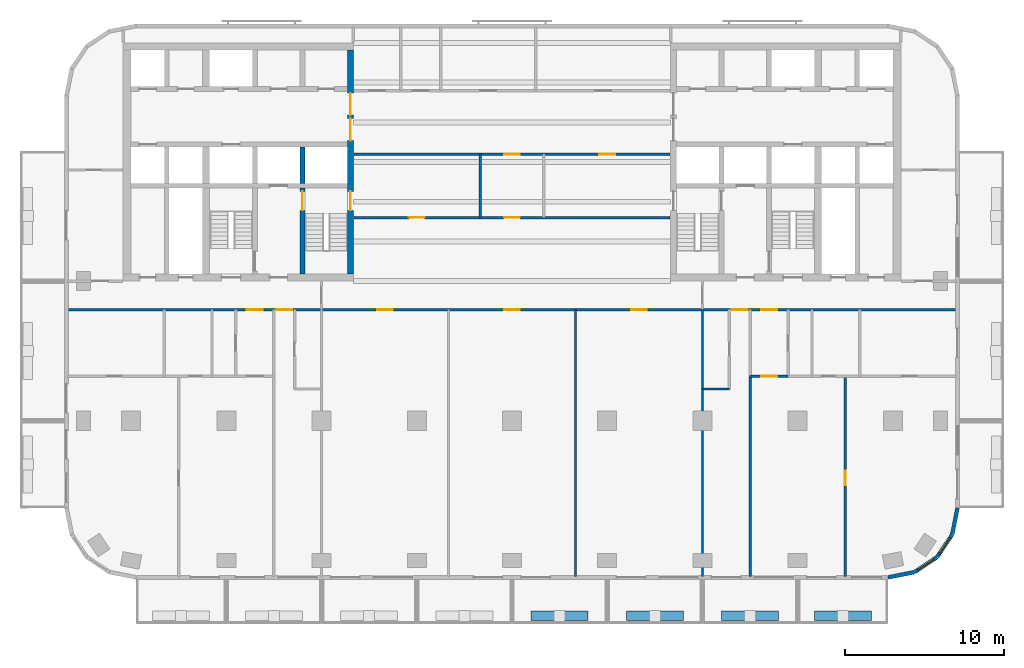
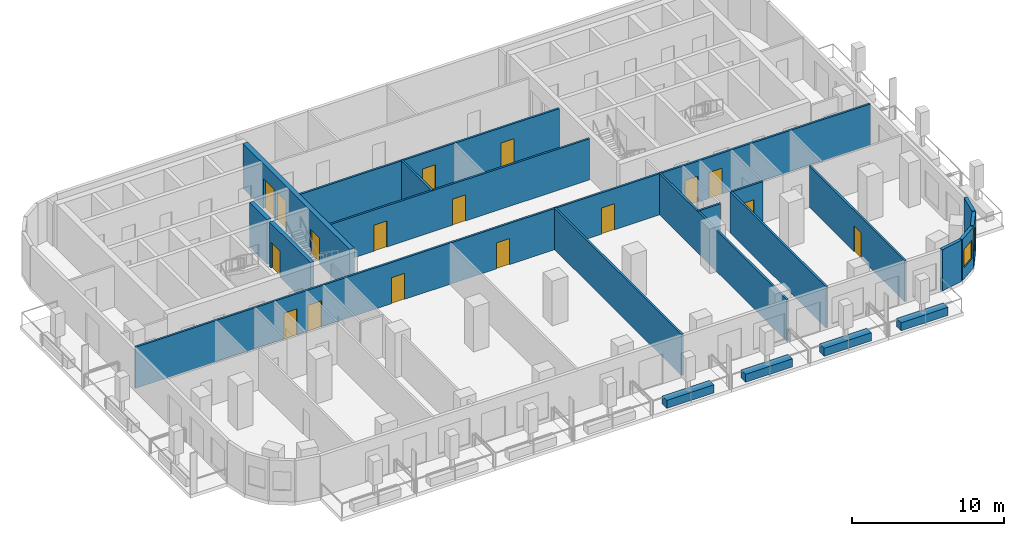
# One storey, part 4 of 11: 21 walls, 17 doors, 2 windows, 19 openings.
"""IFC4 building model written with IfcOpenShell, lengths in metres."""

import ifcopenshell
import ifcopenshell.guid

model = None  # the IFC model being written
_history = None  # IfcOwnerHistory: only IFC2X3 demands one
_inside = {}  # id of a spatial element -> (the spatial element, [elements in it])
_under = {}  # id of a project, library or spatial element -> (it, [spatial elements below it])
_declared = {}  # id of a project -> (the project, [libraries it declares])
_typed = {}  # id of a type object -> (the type object, [elements of that type])
_made_of = {}  # id of a material, layer set ... -> (it, [elements and type objects made of it])


def new_model(schema):
    """Start an empty IFC model of exactly this schema.

    Asked for "IFC4X3", IfcOpenShell would pick the latest addendum, in which some entities
    have other attributes; the version numbers below select the first issue.
    IFC2X3 requires an IfcOwnerHistory on every rooted entity: one is made here for all.
    """
    global model, _history
    if schema == "IFC4X3":
        model = ifcopenshell.file(schema_version=(4, 3, 0, 0))
    else:
        model = ifcopenshell.file(schema=schema)
    _inside.clear()
    _under.clear()
    _declared.clear()
    _typed.clear()
    _made_of.clear()
    _history = None
    if model.schema == "IFC2X3":
        org = make("IfcOrganization", Name="unknown")
        user = make(
            "IfcPersonAndOrganization",
            ThePerson=make("IfcPerson", FamilyName="unknown"),
            TheOrganization=org,
        )
        app = make(
            "IfcApplication",
            ApplicationDeveloper=org,
            Version="unknown",
            ApplicationFullName="unknown",
            ApplicationIdentifier="unknown",
        )
        _history = make(
            "IfcOwnerHistory",
            OwningUser=user,
            OwningApplication=app,
            ChangeAction="ADDED",
            CreationDate=0,
        )
    return model


def make(cls, **values):
    """One entity of the class cls with the attributes given. An attribute that is None is left unset."""
    return model.create_entity(
        cls, **{name: value for name, value in values.items() if value is not None}
    )


def rooted(cls, **values):
    """An entity with a GlobalId (a new one), such as an element, a storey or a relation."""
    return make(cls, GlobalId=ifcopenshell.guid.new(), OwnerHistory=_history, **values)


def si_unit(unit_type, name, prefix=None):
    """IfcSIUnit, for example si_unit("LENGTHUNIT", "METRE", prefix="MILLI")."""
    return make("IfcSIUnit", UnitType=unit_type, Prefix=prefix, Name=name)


def assignment(units):
    """IfcUnitAssignment: the units of a project."""
    return None if units is None else make("IfcUnitAssignment", Units=units)


def point(xyz):
    """IfcCartesianPoint."""
    return None if xyz is None else make("IfcCartesianPoint", Coordinates=xyz)


def direction(xyz):
    """IfcDirection."""
    return None if xyz is None else make("IfcDirection", DirectionRatios=xyz)


def frame(location, z_axis=None, x_axis=None):
    """IfcAxis2Placement3D, a coordinate frame: its origin and axes. An axis left out is left unset."""
    return make(
        "IfcAxis2Placement3D",
        Location=point(location),
        Axis=direction(z_axis),
        RefDirection=direction(x_axis),
    )


def frame_2d(location, x_axis=None):
    """IfcAxis2Placement2D, a coordinate frame in the plane: its origin and x axis."""
    return make(
        "IfcAxis2Placement2D", Location=point(location), RefDirection=direction(x_axis)
    )


def origin():
    """The frame at (0, 0, 0) with its axes left unset."""
    return frame((0.0, 0.0, 0.0))


def place(relative_to, where):
    """IfcLocalPlacement: puts the frame where relative to a parent placement (None: the world)."""
    return make(
        "IfcLocalPlacement", PlacementRelTo=relative_to, RelativePlacement=where
    )


def context(
    kind, dimensions, precision=None, world=None, true_north=None, identifier=None
):
    """IfcGeometricRepresentationContext, for example the 3D "Model" context."""
    return make(
        "IfcGeometricRepresentationContext",
        ContextIdentifier=identifier,
        ContextType=kind,
        CoordinateSpaceDimension=dimensions,
        Precision=precision,
        WorldCoordinateSystem=world,
        TrueNorth=true_north,
    )


def subcontext(parent, identifier, kind, view, scale=None):
    """IfcGeometricRepresentationSubContext, for example "Body" below "Model"."""
    return make(
        "IfcGeometricRepresentationSubContext",
        ContextIdentifier=identifier,
        ContextType=kind,
        ParentContext=parent,
        TargetScale=scale,
        TargetView=view,
    )


def project(units=None, contexts=None):
    """IfcProject with its units and contexts."""
    return rooted(
        "IfcProject",
        Name="project",
        RepresentationContexts=contexts,
        UnitsInContext=assignment(units),
    )


def spatial(cls, under=None, at=None, **own):
    """A site, building, storey or space (cls), placed at a placement, below another one or the project."""
    s = rooted(cls, ObjectPlacement=at, **own)
    if under is not None:
        _under.setdefault(under.id(), (under, []))[1].append(s)
    return s


def profile(cls, at=None, kind="AREA", **sizes):
    """A parametric profile (cls). Its sizes go by their IFC names, for example OverallWidth=200.0."""
    return make(cls, ProfileType=kind, Position=at, **sizes)


def rectangle(**sizes):
    """IfcRectangleProfileDef."""
    return profile("IfcRectangleProfileDef", **sizes)


def extrude(swept, where, along, depth):
    """IfcExtrudedAreaSolid: the profile swept, set in the frame where, extruded along a direction by depth."""
    return make(
        "IfcExtrudedAreaSolid",
        SweptArea=swept,
        Position=where,
        ExtrudedDirection=direction(along),
        Depth=depth,
    )


def shape(context_of_items, identifier, shape_type, items):
    """IfcShapeRepresentation: the items that make up one representation, for example the "Body"."""
    return make(
        "IfcShapeRepresentation",
        ContextOfItems=context_of_items,
        RepresentationIdentifier=identifier,
        RepresentationType=shape_type,
        Items=items,
    )


def material(Name=None, Category=None):
    """IfcMaterial."""
    return make("IfcMaterial", Name=Name, Category=Category)


def layer(
    of_material, thickness, ventilated=None, Name=None, Category=None, Priority=None
):
    """IfcMaterialLayer: one layer of a wall or slab, of a material (None: an air gap)."""
    return make(
        "IfcMaterialLayer",
        Material=of_material,
        LayerThickness=thickness,
        IsVentilated=ventilated,
        Name=Name,
        Category=Category,
        Priority=Priority,
    )


def layer_set(layers, Name=None):
    """IfcMaterialLayerSet."""
    return make("IfcMaterialLayerSet", MaterialLayers=layers, LayerSetName=Name)


def made_of(thing, what):
    """Note that an element or type object is made of a material, layer set ...; save() writes the relation."""
    if what is not None:
        _made_of.setdefault(what.id(), (what, []))[1].append(thing)
    return thing


def type_object(cls, material=None, **own):
    """A type object (cls), such as IfcWallType, which elements share."""
    return made_of(rooted(cls, **own), material)


def element(
    cls,
    number,
    at=None,
    inside=None,
    cuts=None,
    type_object=None,
    material=None,
    context=None,
    identifier="Body",
    shape_type=None,
    held_by="IfcProductDefinitionShape",
    body=None,
    shapes=None,
    **own,
):
    """One element of the class cls, such as IfcWall. Its Tag is "e" and its number.

    at: its placement. inside: the storey or other place that contains it. cuts: it is an
    opening in that element (IfcRelVoidsElement). A single representation is given by context,
    identifier, shape_type and body (its items); several are given by shapes. held_by: the class
    of the entity that holds the representations. save() writes the other relations.
    """
    e = rooted(cls, Tag="e%d" % number, ObjectPlacement=at, **own)
    if body is not None:
        shapes = [shape(context, identifier, shape_type, body)]
    if shapes is not None:
        e.Representation = make(held_by, Representations=shapes)
    if inside is not None:
        _inside.setdefault(inside.id(), (inside, []))[1].append(e)
    if cuts is not None:
        rooted(
            "IfcRelVoidsElement", RelatingBuildingElement=cuts, RelatedOpeningElement=e
        )
    if type_object is not None:
        _typed.setdefault(type_object.id(), (type_object, []))[1].append(e)
    return made_of(e, material)


def fill(opening, filler):
    """IfcRelFillsElement: the door or window that sits in an opening."""
    return rooted(
        "IfcRelFillsElement",
        RelatingOpeningElement=opening,
        RelatedBuildingElement=filler,
    )


def aggregate(whole, parts):
    """IfcRelAggregates: a whole, such as a stair, and the parts it consists of."""
    return rooted("IfcRelAggregates", RelatingObject=whole, RelatedObjects=parts)


def save(model, path):
    """Write the relations noted so far, then the file.

    IfcRelAggregates (storeys below a building ...), IfcRelContainedInSpatialStructure (elements
    in a storey), IfcRelDefinesByType, IfcRelAssociatesMaterial and IfcRelDeclares: one each for
    every whole, place, type object, material and project.
    """
    for whole, parts in _under.values():
        aggregate(whole, parts)
    for where, things in _inside.values():
        rooted(
            "IfcRelContainedInSpatialStructure",
            RelatedElements=things,
            RelatingStructure=where,
        )
    for kind, things in _typed.values():
        rooted("IfcRelDefinesByType", RelatedObjects=things, RelatingType=kind)
    for what, things in _made_of.values():
        rooted("IfcRelAssociatesMaterial", RelatedObjects=things, RelatingMaterial=what)
    for by, libraries in _declared.values():
        rooted("IfcRelDeclares", RelatingContext=by, RelatedDefinitions=libraries)
    model.write(path)


model = new_model("IFC4")

# Units and contexts
model_context = context("Model", 3, precision=1e-05, world=origin(), true_north=direction((0.0, 1.0)))
body_context = subcontext(model_context, "Body", "Model", "MODEL_VIEW")
ifc_project = project(units=[si_unit("LENGTHUNIT", "METRE"), si_unit("AREAUNIT", "SQUARE_METRE"), si_unit("VOLUMEUNIT", "CUBIC_METRE"), si_unit("PLANEANGLEUNIT", "RADIAN"), si_unit("MASSUNIT", "GRAM", prefix="KILO")], contexts=[model_context])

# Site, building, storey
site_placement = place(None, origin())
site = spatial("IfcSite", under=ifc_project, at=site_placement, CompositionType="ELEMENT")
building_placement = place(site_placement, origin())
building = spatial("IfcBuilding", under=site, at=building_placement, Name="Torana Hotel and Residences", CompositionType="ELEMENT")
storey_placement = place(building_placement, frame((0.0, 0.0, 148.800048828125)))
storey = spatial("IfcBuildingStorey", under=building, at=storey_placement, Name="L38", CompositionType="ELEMENT", Elevation=148.800048828125)

# Wall
ifc_material_1 = material(Name="Concrete C70/85", Category="concrete")
ifc_layer_1 = layer(ifc_material_1, 0.300048828125)
ifc_layer_set_1 = layer_set([ifc_layer_1], Name="CORE WALL 300 C70/85")
wall_type_1 = type_object("IfcWallType", Name="CORE WALL 300 C70/85", PredefinedType="SHEAR", material=ifc_layer_set_1)
wall_1_placement = place(storey_placement, frame((-13.199951171875, -8.85009765625, 0.0), z_axis=(0.0, 0.0, 1.0), x_axis=(0.0, 1.0, 0.0)))
element("IfcWall", 1, at=wall_1_placement, inside=storey, type_object=wall_type_1, Name="Core wall W x3.05-S", PredefinedType="SHEAR", context=body_context, shape_type="SweptSolid", body=[
    extrude(rectangle(XDim=2.300048828125, YDim=0.300048828125, at=frame_2d((1.14990234375, 0.0))), origin(), (0.0, 0.0, 1.0), 3.599853515625),
])

# Wall, opening, door
wall_2_placement = place(storey_placement, frame((-13.199951171875, -14.550048828125, 0.0), z_axis=(0.0, 0.0, 1.0), x_axis=(0.0, 1.0, 0.0)))
wall_2 = element("IfcWall", 2, at=wall_2_placement, inside=storey, type_object=wall_type_1, Name="Core wall W x3.05-band", PredefinedType="SHEAR", context=body_context, shape_type="SweptSolid", body=[
    extrude(rectangle(XDim=5.400146484375, YDim=0.300048828125, at=frame_2d((2.7001953125, 0.0))), origin(), (0.0, 0.0, 1.0), 3.599853515625),
])
opening_1_placement = place(wall_2_placement, frame((4.0, 0.0, 0.0)))
opening_1 = element("IfcOpeningElement", 3, at=opening_1_placement, cuts=wall_2, Name="Opening L38-12", PredefinedType="OPENING", context=body_context, shape_type="SweptSolid", body=[
    extrude(rectangle(XDim=1.199951171875, YDim=2.10009765625, at=frame_2d((0.60009765625, 1.050048828125))), frame((0.0, 0.159912109375, 0.0), z_axis=(0.0, -1.0, 0.0), x_axis=(1.0, 0.0, 0.0)), (0.0, 0.0, 1.0), 0.320068359375),
])
ifc_material_2 = material(Name="Steel S235", Category="steel")
door_type_1 = type_object("IfcDoorType", Name="STAIR FIRE DOOR D3 1200x2100", OperationType="SINGLE_SWING_LEFT", PredefinedType="DOOR", material=ifc_material_2)
door_1_placement = place(opening_1_placement, frame((0.60009765625, 0.0, 0.0), z_axis=(0.0, 0.0, 1.0), x_axis=(-1.0, 0.0, 0.0)))
door_1 = element("IfcDoor", 4, at=door_1_placement, inside=storey, type_object=door_type_1, Name="Stair-A-lobby door L38", OperationType="SINGLE_SWING_RIGHT", OverallHeight=2.10009765625, OverallWidth=1.199951171875, PredefinedType="DOOR", context=body_context, shape_type="SweptSolid", body=[
    extrude(rectangle(XDim=1.199951171875, YDim=2.10009765625, at=frame_2d((0.0, 1.050048828125))), frame((0.0, -0.02490234375, 0.0), z_axis=(0.0, 1.0, 0.0), x_axis=(-1.0, 0.0, 0.0)), (0.0, 0.0, 1.0), 0.050048828125),
])
fill(opening_1, door_1)

# Wall, openings, doors
ifc_material_3 = material(Name="Concrete C70/85", Category="concrete")
ifc_layer_2 = layer(ifc_material_3, 0.35009765625)
ifc_layer_set_2 = layer_set([ifc_layer_2], Name="CORE WALL 350 C70/85")
wall_type_2 = type_object("IfcWallType", Name="CORE WALL 350 C70/85", PredefinedType="SHEAR", material=ifc_layer_set_2)
wall_3_placement = place(storey_placement, frame((-10.175048828125, -14.550048828125, 0.0), z_axis=(0.0, 0.0, 1.0), x_axis=(0.0, 1.0, 0.0)))
wall_3 = element("IfcWall", 5, at=wall_3_placement, inside=storey, type_object=wall_type_2, Name="Core wall W arch", PredefinedType="SHEAR", context=body_context, shape_type="SweptSolid", body=[
    extrude(rectangle(XDim=14.10009765625, YDim=0.35009765625, at=frame_2d((7.050048828125, 0.0))), origin(), (0.0, 0.0, 1.0), 3.599853515625),
])
opening_2_placement = place(wall_3_placement, frame((8.39990234375, 0.0, 0.0)))
opening_2 = element("IfcOpeningElement", 6, at=opening_2_placement, cuts=wall_3, Name="Opening L38-01", PredefinedType="OPENING", context=body_context, shape_type="SweptSolid", body=[
    extrude(rectangle(XDim=1.39990234375, YDim=2.39990234375, at=frame_2d((0.699951171875, 1.199951171875))), frame((0.0, 0.18505859375, 0.0), z_axis=(0.0, -1.0, 0.0), x_axis=(1.0, 0.0, 0.0)), (0.0, 0.0, 1.0), 0.3701171875),
])
opening_3_placement = place(wall_3_placement, frame((10.0, 0.0, 0.0)))
opening_3 = element("IfcOpeningElement", 7, at=opening_3_placement, cuts=wall_3, Name="Opening L38-02", PredefinedType="OPENING", context=body_context, shape_type="SweptSolid", body=[
    extrude(rectangle(XDim=1.39990234375, YDim=2.39990234375, at=frame_2d((0.699951171875, 1.199951171875))), frame((0.0, 0.18505859375, 0.0), z_axis=(0.0, -1.0, 0.0), x_axis=(1.0, 0.0, 0.0)), (0.0, 0.0, 1.0), 0.3701171875),
])
opening_4_placement = place(wall_3_placement, frame((4.0, 0.0, 0.0)))
opening_4 = element("IfcOpeningElement", 8, at=opening_4_placement, cuts=wall_3, Name="Opening L38-03", PredefinedType="OPENING", context=body_context, shape_type="SweptSolid", body=[
    extrude(rectangle(XDim=1.199951171875, YDim=2.10009765625, at=frame_2d((0.60009765625, 1.050048828125))), frame((0.0, 0.18505859375, 0.0), z_axis=(0.0, -1.0, 0.0), x_axis=(1.0, 0.0, 0.0)), (0.0, 0.0, 1.0), 0.3701171875),
])
ifc_material_4 = material(Name="Steel S235", Category="steel")
door_type_2 = type_object("IfcDoorType", Name="LOBBY FIRE DOOR D4 1400x2400", OperationType="DOUBLE_DOOR_SINGLE_SWING", PredefinedType="DOOR", material=ifc_material_4)
door_2_placement = place(opening_2_placement, origin())
door_2 = element("IfcDoor", 9, at=door_2_placement, inside=storey, type_object=door_type_2, Name="Lobby-1 door L38", OperationType="DOUBLE_DOOR_SINGLE_SWING", OverallHeight=2.39990234375, OverallWidth=1.39990234375, PredefinedType="DOOR", context=body_context, shape_type="SweptSolid", body=[
    extrude(rectangle(XDim=1.39990234375, YDim=2.39990234375, at=frame_2d((0.699951171875, 1.199951171875))), frame((0.0, 0.02490234375, 0.0), z_axis=(0.0, -1.0, 0.0), x_axis=(1.0, 0.0, 0.0)), (0.0, 0.0, 1.0), 0.050048828125),
])
fill(opening_2, door_2)
door_3_placement = place(opening_3_placement, origin())
door_3 = element("IfcDoor", 10, at=door_3_placement, inside=storey, type_object=door_type_2, Name="Lobby-2 door L38", OperationType="DOUBLE_DOOR_SINGLE_SWING", OverallHeight=2.39990234375, OverallWidth=1.39990234375, PredefinedType="DOOR", context=body_context, shape_type="SweptSolid", body=[
    extrude(rectangle(XDim=1.39990234375, YDim=2.39990234375, at=frame_2d((0.699951171875, 1.199951171875))), frame((0.0, 0.02490234375, 0.0), z_axis=(0.0, -1.0, 0.0), x_axis=(1.0, 0.0, 0.0)), (0.0, 0.0, 1.0), 0.050048828125),
])
fill(opening_3, door_3)
door_4_placement = place(opening_4_placement, origin())
door_4 = element("IfcDoor", 11, at=door_4_placement, inside=storey, type_object=door_type_1, Name="Stair-A door L38", OperationType="SINGLE_SWING_LEFT", OverallHeight=2.10009765625, OverallWidth=1.199951171875, PredefinedType="DOOR", context=body_context, shape_type="SweptSolid", body=[
    extrude(rectangle(XDim=1.199951171875, YDim=2.10009765625, at=frame_2d((0.60009765625, 1.050048828125))), frame((0.0, 0.02490234375, 0.0), z_axis=(0.0, -1.0, 0.0), x_axis=(1.0, 0.0, 0.0)), (0.0, 0.0, 1.0), 0.050048828125),
])
fill(opening_4, door_4)

# Wall
ifc_material_5 = material(Name="Black aluminium composite panel", Category="aluminium")
ifc_layer_3 = layer(ifc_material_5, 0.00390625, Name="Cladding", Category="cladding")
ifc_material_6 = material(Name="Ventilated air cavity")
ifc_layer_4 = layer(ifc_material_6, 0.0400390625, Name="Ventilated cavity", Category="cavity")
ifc_material_7 = material(Name="Mineral wool insulation")
ifc_layer_5 = layer(ifc_material_7, 0.090087890625, Name="Insulation", Category="insulation")
ifc_material_8 = material(Name="Steel S280GD", Category="steel")
ifc_layer_6 = layer(ifc_material_8, 0.092041015625, Name="Steel stud frame", Category="structure")
ifc_material_9 = material(Name="Fire rated plasterboard")
ifc_layer_7 = layer(ifc_material_9, 0.011962890625, Name="Inner board", Category="finish")
ifc_layer_8 = layer(ifc_material_9, 0.011962890625, Name="Second board", Category="finish")
ifc_layer_set_3 = layer_set([ifc_layer_3, ifc_layer_4, ifc_layer_5, ifc_layer_6, ifc_layer_7, ifc_layer_8], Name="EW1 EXTERNAL WALL BLACK METAL CLAD 250")
wall_type_3 = type_object("IfcWallType", Name="EW1 EXTERNAL WALL BLACK METAL CLAD 250", PredefinedType="SOLIDWALL", material=ifc_layer_set_3)
wall_4_placement = place(storey_placement, frame((23.69970703125, -33.672607421875, 0.0), z_axis=(0.0, 0.0, 1.0), x_axis=(0.980775640221, 0.19513878023, 0.0)))
element("IfcWall", 12, at=wall_4_placement, inside=storey, type_object=wall_type_3, Name="External wall L38 e0.15", PredefinedType="SOLIDWALL", context=body_context, shape_type="SweptSolid", body=[
    extrude(rectangle(XDim=1.681396484375, YDim=0.25, at=frame_2d((0.8408203125, 0.0))), origin(), (0.0, 0.0, 1.0), 3.320068359375),
])

# Wall, opening, window
wall_5_placement = place(storey_placement, frame((25.39404296875, -33.325927734375, 0.0), z_axis=(0.0, 0.0, 1.0), x_axis=(0.831482937015, 0.55555029066, 0.0)))
wall_5 = element("IfcWall", 13, at=wall_5_placement, inside=storey, type_object=wall_type_3, Name="External wall L38 e0.16", PredefinedType="SOLIDWALL", context=body_context, shape_type="SweptSolid", body=[
    extrude(rectangle(XDim=1.65625, YDim=0.25, at=frame_2d((0.828125, 0.0))), origin(), (0.0, 0.0, 1.0), 3.320068359375),
])
opening_5_placement = place(wall_5_placement, frame((0.228271484375, 0.0, 0.89990234375)))
opening_5 = element("IfcOpeningElement", 14, at=opening_5_placement, cuts=wall_5, Name="Opening W5", PredefinedType="OPENING", context=body_context, shape_type="SweptSolid", body=[
    extrude(rectangle(XDim=1.199951171875, YDim=1.5, at=frame_2d((0.60009765625, 0.75))), frame((0.0, 0.135009765625, 0.0), z_axis=(0.0, -1.0, 0.0), x_axis=(1.0, 0.0, 0.0)), (0.0, 0.0, 1.0), 0.27001953125),
])
ifc_material_10 = material(Name="Dark glass in black aluminium frame", Category="aluminium")
window_type = type_object("IfcWindowType", Name="W5 CORNER FACET WINDOW 1200x1500", PartitioningType="SINGLE_PANEL", PredefinedType="WINDOW", material=ifc_material_10)
window_1_placement = place(opening_5_placement, origin())
window_1 = element("IfcWindow", 15, at=window_1_placement, inside=storey, type_object=window_type, Name="Window L38 e0.16", OverallHeight=1.5, OverallWidth=1.199951171875, PartitioningType="SINGLE_PANEL", PredefinedType="WINDOW", context=body_context, shape_type="SweptSolid", body=[
    extrude(rectangle(XDim=1.199951171875, YDim=1.5, at=frame_2d((0.60009765625, 0.75))), frame((0.0, 0.030029296875, 0.0), z_axis=(0.0, -1.0, 0.0), x_axis=(1.0, 0.0, 0.0)), (0.0, 0.0, 1.0), 0.06005859375),
])
fill(opening_5, window_1)

wall_6_placement = place(storey_placement, frame((26.8056640625, -32.37109375, 0.0), z_axis=(0.0, 0.0, 1.0), x_axis=(0.55555029066, 0.831482937015, 0.0)))
wall_6 = element("IfcWall", 16, at=wall_6_placement, inside=storey, type_object=wall_type_3, Name="External wall L38 e0.17", PredefinedType="SOLIDWALL", context=body_context, shape_type="SweptSolid", body=[
    extrude(rectangle(XDim=1.65625, YDim=0.25, at=frame_2d((0.828125, 0.0))), origin(), (0.0, 0.0, 1.0), 3.320068359375),
])
opening_6_placement = place(wall_6_placement, frame((0.228271484375, 0.0, 0.89990234375)))
opening_6 = element("IfcOpeningElement", 17, at=opening_6_placement, cuts=wall_6, Name="Opening W5", PredefinedType="OPENING", context=body_context, shape_type="SweptSolid", body=[
    extrude(rectangle(XDim=1.199951171875, YDim=1.5, at=frame_2d((0.60009765625, 0.75))), frame((0.0, 0.135009765625, 0.0), z_axis=(0.0, -1.0, 0.0), x_axis=(1.0, 0.0, 0.0)), (0.0, 0.0, 1.0), 0.27001953125),
])
window_2_placement = place(opening_6_placement, origin())
window_2 = element("IfcWindow", 18, at=window_2_placement, inside=storey, type_object=window_type, Name="Window L38 e0.17", OverallHeight=1.5, OverallWidth=1.199951171875, PartitioningType="SINGLE_PANEL", PredefinedType="WINDOW", context=body_context, shape_type="SweptSolid", body=[
    extrude(rectangle(XDim=1.199951171875, YDim=1.5, at=frame_2d((0.60009765625, 0.75))), frame((0.0, 0.030029296875, 0.0), z_axis=(0.0, -1.0, 0.0), x_axis=(1.0, 0.0, 0.0)), (0.0, 0.0, 1.0), 0.06005859375),
])
fill(opening_6, window_2)

# Walls
wall_7_placement = place(storey_placement, frame((27.74462890625, -30.948974609375, 0.0), z_axis=(0.0, 0.0, 1.0), x_axis=(0.194999110559, 0.980803419081, 0.0)))
element("IfcWall", 19, at=wall_7_placement, inside=storey, type_object=wall_type_3, Name="External wall L38 e0.18", PredefinedType="SOLIDWALL", context=body_context, shape_type="SweptSolid", body=[
    extrude(rectangle(XDim=1.681396484375, YDim=0.25, at=frame_2d((0.8408203125, 0.0))), origin(), (0.0, 0.0, 1.0), 3.320068359375),
])
ifc_material_11 = material(Name="Gypsum plaster")
ifc_layer_9 = layer(ifc_material_11, 0.014892578125, Name="Plaster", Category="finish")
ifc_material_12 = material(Name="Concrete blockwork", Category="masonry")
ifc_layer_10 = layer(ifc_material_12, 0.1201171875, Name="Blockwork", Category="structure")
ifc_layer_11 = layer(ifc_material_11, 0.014892578125, Name="Plaster", Category="finish")
ifc_layer_set_4 = layer_set([ifc_layer_9, ifc_layer_10, ifc_layer_11], Name="FIRE PARTITION 150 BLOCKWORK")
wall_type_4 = type_object("IfcWallType", Name="FIRE PARTITION 150 BLOCKWORK", PredefinedType="PARTITIONING", material=ifc_layer_set_4)
wall_8_placement = place(storey_placement, frame((-2.0, -11.0, 0.0), z_axis=(0.0, 0.0, 1.0), x_axis=(0.0, 1.0, 0.0)))
element("IfcWall", 20, at=wall_8_placement, inside=storey, type_object=wall_type_4, Name="Partition L38", PredefinedType="PARTITIONING", context=body_context, shape_type="SweptSolid", body=[
    extrude(rectangle(XDim=4.0, YDim=0.14990234375, at=frame_2d((2.0, 0.0))), origin(), (0.0, 0.0, 1.0), 3.320068359375),
])

# Wall, opening, door
wall_9_placement = place(storey_placement, frame((15.0, -21.0, 0.0), z_axis=(0.0, 0.0, 1.0), x_axis=(1.0, 0.0, 0.0)))
wall_9 = element("IfcWall", 21, at=wall_9_placement, inside=storey, type_object=wall_type_4, Name="Partition L38", PredefinedType="PARTITIONING", context=body_context, shape_type="SweptSolid", body=[
    extrude(rectangle(XDim=2.39990234375, YDim=0.14990234375, at=frame_2d((1.199951171875, 0.0))), origin(), (0.0, 0.0, 1.0), 3.320068359375),
])
opening_7_placement = place(wall_9_placement, frame((0.699951171875, 0.0, 0.0)))
opening_7 = element("IfcOpeningElement", 22, at=opening_7_placement, cuts=wall_9, Name="Opening L38-54", PredefinedType="OPENING", context=body_context, shape_type="SweptSolid", body=[
    extrude(rectangle(XDim=1.0, YDim=2.10009765625, at=frame_2d((0.5, 1.050048828125))), frame((0.0, 0.0849609375, 0.0), z_axis=(0.0, -1.0, 0.0), x_axis=(1.0, 0.0, 0.0)), (0.0, 0.0, 1.0), 0.169921875),
])
ifc_material_13 = material(Name="Steel S235", Category="steel")
door_type_3 = type_object("IfcDoorType", Name="ENTRY FIRE DOOR D6 1000x2100", OperationType="SINGLE_SWING_LEFT", PredefinedType="DOOR", material=ifc_material_13)
door_5_placement = place(opening_7_placement, frame((0.5, 0.0, 0.0), z_axis=(0.0, 0.0, 1.0), x_axis=(-1.0, 0.0, 0.0)))
door_5 = element("IfcDoor", 23, at=door_5_placement, inside=storey, type_object=door_type_3, Name="Door L38", OperationType="SINGLE_SWING_LEFT", OverallHeight=2.10009765625, OverallWidth=1.0, PredefinedType="DOOR", context=body_context, shape_type="SweptSolid", body=[
    extrude(rectangle(XDim=1.0, YDim=2.10009765625, at=frame_2d((0.0, 1.050048828125))), frame((0.0, -0.02490234375, 0.0), z_axis=(0.0, 1.0, 0.0), x_axis=(-1.0, 0.0, 0.0)), (0.0, 0.0, 1.0), 0.050048828125),
])
fill(opening_7, door_5)

# Wall, openings, doors
wall_10_placement = place(storey_placement, frame((-28.02001953125, -16.800048828125, 0.0), z_axis=(0.0, 0.0, 1.0), x_axis=(1.0, 0.0, 0.0)))
wall_10 = element("IfcWall", 24, at=wall_10_placement, inside=storey, type_object=wall_type_4, Name="Partition L38", PredefinedType="PARTITIONING", context=body_context, shape_type="SweptSolid", body=[
    extrude(rectangle(XDim=56.0400390625, YDim=0.14990234375, at=frame_2d((28.02001953125, 0.0))), origin(), (0.0, 0.0, 1.0), 3.320068359375),
])
opening_8_placement = place(wall_10_placement, frame((13.169921875, 0.0, 0.0)))
opening_8 = element("IfcOpeningElement", 25, at=opening_8_placement, cuts=wall_10, Name="Opening L38-28", PredefinedType="OPENING", context=body_context, shape_type="SweptSolid", body=[
    extrude(rectangle(XDim=1.0, YDim=2.10009765625, at=frame_2d((0.5, 1.050048828125))), frame((0.0, 0.0849609375, 0.0), z_axis=(0.0, -1.0, 0.0), x_axis=(1.0, 0.0, 0.0)), (0.0, 0.0, 1.0), 0.169921875),
])
opening_9_placement = place(wall_10_placement, frame((11.320068359375, 0.0, 0.0)))
opening_9 = element("IfcOpeningElement", 26, at=opening_9_placement, cuts=wall_10, Name="Opening L38-29", PredefinedType="OPENING", context=body_context, shape_type="SweptSolid", body=[
    extrude(rectangle(XDim=1.0, YDim=2.10009765625, at=frame_2d((0.5, 1.050048828125))), frame((0.0, 0.0849609375, 0.0), z_axis=(0.0, -1.0, 0.0), x_axis=(1.0, 0.0, 0.0)), (0.0, 0.0, 1.0), 0.169921875),
])
opening_10_placement = place(wall_10_placement, frame((41.8701171875, 0.0, 0.0)))
opening_10 = element("IfcOpeningElement", 27, at=opening_10_placement, cuts=wall_10, Name="Opening L38-32", PredefinedType="OPENING", context=body_context, shape_type="SweptSolid", body=[
    extrude(rectangle(XDim=1.0, YDim=2.10009765625, at=frame_2d((0.5, 1.050048828125))), frame((0.0, 0.0849609375, 0.0), z_axis=(0.0, -1.0, 0.0), x_axis=(1.0, 0.0, 0.0)), (0.0, 0.0, 1.0), 0.169921875),
])
opening_11_placement = place(wall_10_placement, frame((43.719970703125, 0.0, 0.0)))
opening_11 = element("IfcOpeningElement", 28, at=opening_11_placement, cuts=wall_10, Name="Opening L38-33", PredefinedType="OPENING", context=body_context, shape_type="SweptSolid", body=[
    extrude(rectangle(XDim=1.0, YDim=2.10009765625, at=frame_2d((0.5, 1.050048828125))), frame((0.0, 0.0849609375, 0.0), z_axis=(0.0, -1.0, 0.0), x_axis=(1.0, 0.0, 0.0)), (0.0, 0.0, 1.0), 0.169921875),
])
opening_12_placement = place(wall_10_placement, frame((19.52001953125, 0.0, 0.0)))
opening_12 = element("IfcOpeningElement", 29, at=opening_12_placement, cuts=wall_10, Name="Opening L38-36", PredefinedType="OPENING", context=body_context, shape_type="SweptSolid", body=[
    extrude(rectangle(XDim=1.0, YDim=2.10009765625, at=frame_2d((0.5, 1.050048828125))), frame((0.0, 0.0849609375, 0.0), z_axis=(0.0, -1.0, 0.0), x_axis=(1.0, 0.0, 0.0)), (0.0, 0.0, 1.0), 0.169921875),
])
opening_13_placement = place(wall_10_placement, frame((27.52001953125, 0.0, 0.0)))
opening_13 = element("IfcOpeningElement", 30, at=opening_13_placement, cuts=wall_10, Name="Opening L38-37", PredefinedType="OPENING", context=body_context, shape_type="SweptSolid", body=[
    extrude(rectangle(XDim=1.0, YDim=2.10009765625, at=frame_2d((0.5, 1.050048828125))), frame((0.0, 0.0849609375, 0.0), z_axis=(0.0, -1.0, 0.0), x_axis=(1.0, 0.0, 0.0)), (0.0, 0.0, 1.0), 0.169921875),
])
opening_14_placement = place(wall_10_placement, frame((35.52001953125, 0.0, 0.0)))
opening_14 = element("IfcOpeningElement", 31, at=opening_14_placement, cuts=wall_10, Name="Opening L38-38", PredefinedType="OPENING", context=body_context, shape_type="SweptSolid", body=[
    extrude(rectangle(XDim=1.0, YDim=2.10009765625, at=frame_2d((0.5, 1.050048828125))), frame((0.0, 0.0849609375, 0.0), z_axis=(0.0, -1.0, 0.0), x_axis=(1.0, 0.0, 0.0)), (0.0, 0.0, 1.0), 0.169921875),
])
door_6_placement = place(opening_8_placement, frame((0.5, 0.0, 0.0), z_axis=(0.0, 0.0, 1.0), x_axis=(-1.0, 0.0, 0.0)))
door_6 = element("IfcDoor", 32, at=door_6_placement, inside=storey, type_object=door_type_3, Name="Door L38", OperationType="SINGLE_SWING_LEFT", OverallHeight=2.10009765625, OverallWidth=1.0, PredefinedType="DOOR", context=body_context, shape_type="SweptSolid", body=[
    extrude(rectangle(XDim=1.0, YDim=2.10009765625, at=frame_2d((0.0, 1.050048828125))), frame((0.0, -0.02490234375, 0.0), z_axis=(0.0, 1.0, 0.0), x_axis=(-1.0, 0.0, 0.0)), (0.0, 0.0, 1.0), 0.050048828125),
])
fill(opening_8, door_6)
door_7_placement = place(opening_9_placement, origin())
door_7 = element("IfcDoor", 33, at=door_7_placement, inside=storey, type_object=door_type_3, Name="Door L38", OperationType="SINGLE_SWING_RIGHT", OverallHeight=2.10009765625, OverallWidth=1.0, PredefinedType="DOOR", context=body_context, shape_type="SweptSolid", body=[
    extrude(rectangle(XDim=1.0, YDim=2.10009765625, at=frame_2d((0.5, 1.050048828125))), frame((0.0, 0.02490234375, 0.0), z_axis=(0.0, -1.0, 0.0), x_axis=(1.0, 0.0, 0.0)), (0.0, 0.0, 1.0), 0.050048828125),
])
fill(opening_9, door_7)
door_8_placement = place(opening_10_placement, frame((0.5, 0.0, 0.0), z_axis=(0.0, 0.0, 1.0), x_axis=(-1.0, 0.0, 0.0)))
door_8 = element("IfcDoor", 34, at=door_8_placement, inside=storey, type_object=door_type_3, Name="Door L38", OperationType="SINGLE_SWING_LEFT", OverallHeight=2.10009765625, OverallWidth=1.0, PredefinedType="DOOR", context=body_context, shape_type="SweptSolid", body=[
    extrude(rectangle(XDim=1.0, YDim=2.10009765625, at=frame_2d((0.0, 1.050048828125))), frame((0.0, -0.02490234375, 0.0), z_axis=(0.0, 1.0, 0.0), x_axis=(-1.0, 0.0, 0.0)), (0.0, 0.0, 1.0), 0.050048828125),
])
fill(opening_10, door_8)
door_9_placement = place(opening_11_placement, origin())
door_9 = element("IfcDoor", 35, at=door_9_placement, inside=storey, type_object=door_type_3, Name="Door L38", OperationType="SINGLE_SWING_RIGHT", OverallHeight=2.10009765625, OverallWidth=1.0, PredefinedType="DOOR", context=body_context, shape_type="SweptSolid", body=[
    extrude(rectangle(XDim=1.0, YDim=2.10009765625, at=frame_2d((0.5, 1.050048828125))), frame((0.0, 0.02490234375, 0.0), z_axis=(0.0, -1.0, 0.0), x_axis=(1.0, 0.0, 0.0)), (0.0, 0.0, 1.0), 0.050048828125),
])
fill(opening_11, door_9)
door_10_placement = place(opening_12_placement, frame((0.5, 0.0, 0.0), z_axis=(0.0, 0.0, 1.0), x_axis=(-1.0, 0.0, 0.0)))
door_10 = element("IfcDoor", 36, at=door_10_placement, inside=storey, type_object=door_type_3, Name="Door L38", OperationType="SINGLE_SWING_LEFT", OverallHeight=2.10009765625, OverallWidth=1.0, PredefinedType="DOOR", context=body_context, shape_type="SweptSolid", body=[
    extrude(rectangle(XDim=1.0, YDim=2.10009765625, at=frame_2d((0.0, 1.050048828125))), frame((0.0, -0.02490234375, 0.0), z_axis=(0.0, 1.0, 0.0), x_axis=(-1.0, 0.0, 0.0)), (0.0, 0.0, 1.0), 0.050048828125),
])
fill(opening_12, door_10)
door_11_placement = place(opening_13_placement, frame((0.5, 0.0, 0.0), z_axis=(0.0, 0.0, 1.0), x_axis=(-1.0, 0.0, 0.0)))
door_11 = element("IfcDoor", 37, at=door_11_placement, inside=storey, type_object=door_type_3, Name="Door L38", OperationType="SINGLE_SWING_LEFT", OverallHeight=2.10009765625, OverallWidth=1.0, PredefinedType="DOOR", context=body_context, shape_type="SweptSolid", body=[
    extrude(rectangle(XDim=1.0, YDim=2.10009765625, at=frame_2d((0.0, 1.050048828125))), frame((0.0, -0.02490234375, 0.0), z_axis=(0.0, 1.0, 0.0), x_axis=(-1.0, 0.0, 0.0)), (0.0, 0.0, 1.0), 0.050048828125),
])
fill(opening_13, door_11)
door_12_placement = place(opening_14_placement, frame((0.5, 0.0, 0.0), z_axis=(0.0, 0.0, 1.0), x_axis=(-1.0, 0.0, 0.0)))
door_12 = element("IfcDoor", 38, at=door_12_placement, inside=storey, type_object=door_type_3, Name="Door L38", OperationType="SINGLE_SWING_LEFT", OverallHeight=2.10009765625, OverallWidth=1.0, PredefinedType="DOOR", context=body_context, shape_type="SweptSolid", body=[
    extrude(rectangle(XDim=1.0, YDim=2.10009765625, at=frame_2d((0.0, 1.050048828125))), frame((0.0, -0.02490234375, 0.0), z_axis=(0.0, 1.0, 0.0), x_axis=(-1.0, 0.0, 0.0)), (0.0, 0.0, 1.0), 0.050048828125),
])
fill(opening_14, door_12)

wall_11_placement = place(storey_placement, frame((-9.949951171875, -11.0, 0.0), z_axis=(0.0, 0.0, 1.0), x_axis=(1.0, 0.0, 0.0)))
wall_11 = element("IfcWall", 39, at=wall_11_placement, inside=storey, type_object=wall_type_4, Name="Partition L38", PredefinedType="PARTITIONING", context=body_context, shape_type="SweptSolid", body=[
    extrude(rectangle(XDim=19.89990234375, YDim=0.14990234375, at=frame_2d((9.949951171875, 0.0))), origin(), (0.0, 0.0, 1.0), 3.320068359375),
])
opening_15_placement = place(wall_11_placement, frame((9.449951171875, 0.0, 0.0)))
opening_15 = element("IfcOpeningElement", 40, at=opening_15_placement, cuts=wall_11, Name="Opening L38-35", PredefinedType="OPENING", context=body_context, shape_type="SweptSolid", body=[
    extrude(rectangle(XDim=1.0, YDim=2.10009765625, at=frame_2d((0.5, 1.050048828125))), frame((0.0, 0.0849609375, 0.0), z_axis=(0.0, -1.0, 0.0), x_axis=(1.0, 0.0, 0.0)), (0.0, 0.0, 1.0), 0.169921875),
])
opening_16_placement = place(wall_11_placement, frame((3.449951171875, 0.0, 0.0)))
opening_16 = element("IfcOpeningElement", 41, at=opening_16_placement, cuts=wall_11, Name="Opening L38-39", PredefinedType="OPENING", context=body_context, shape_type="SweptSolid", body=[
    extrude(rectangle(XDim=1.0, YDim=2.10009765625, at=frame_2d((0.5, 1.050048828125))), frame((0.0, 0.0849609375, 0.0), z_axis=(0.0, -1.0, 0.0), x_axis=(1.0, 0.0, 0.0)), (0.0, 0.0, 1.0), 0.169921875),
])
door_13_placement = place(opening_15_placement, origin())
door_13 = element("IfcDoor", 42, at=door_13_placement, inside=storey, type_object=door_type_3, Name="Door L38", OperationType="SINGLE_SWING_RIGHT", OverallHeight=2.10009765625, OverallWidth=1.0, PredefinedType="DOOR", context=body_context, shape_type="SweptSolid", body=[
    extrude(rectangle(XDim=1.0, YDim=2.10009765625, at=frame_2d((0.5, 1.050048828125))), frame((0.0, 0.02490234375, 0.0), z_axis=(0.0, -1.0, 0.0), x_axis=(1.0, 0.0, 0.0)), (0.0, 0.0, 1.0), 0.050048828125),
])
fill(opening_15, door_13)
door_14_placement = place(opening_16_placement, origin())
door_14 = element("IfcDoor", 43, at=door_14_placement, inside=storey, type_object=door_type_3, Name="Door L38", OperationType="SINGLE_SWING_RIGHT", OverallHeight=2.10009765625, OverallWidth=1.0, PredefinedType="DOOR", context=body_context, shape_type="SweptSolid", body=[
    extrude(rectangle(XDim=1.0, YDim=2.10009765625, at=frame_2d((0.5, 1.050048828125))), frame((0.0, 0.02490234375, 0.0), z_axis=(0.0, -1.0, 0.0), x_axis=(1.0, 0.0, 0.0)), (0.0, 0.0, 1.0), 0.050048828125),
])
fill(opening_16, door_14)

wall_12_placement = place(storey_placement, frame((-9.949951171875, -7.0, 0.0), z_axis=(0.0, 0.0, 1.0), x_axis=(1.0, 0.0, 0.0)))
wall_12 = element("IfcWall", 44, at=wall_12_placement, inside=storey, type_object=wall_type_4, Name="Partition L38", PredefinedType="PARTITIONING", context=body_context, shape_type="SweptSolid", body=[
    extrude(rectangle(XDim=19.89990234375, YDim=0.14990234375, at=frame_2d((9.949951171875, 0.0))), origin(), (0.0, 0.0, 1.0), 3.320068359375),
])
opening_17_placement = place(wall_12_placement, frame((9.449951171875, 0.0, 0.0)))
opening_17 = element("IfcOpeningElement", 45, at=opening_17_placement, cuts=wall_12, Name="Opening L38-40", PredefinedType="OPENING", context=body_context, shape_type="SweptSolid", body=[
    extrude(rectangle(XDim=1.0, YDim=2.10009765625, at=frame_2d((0.5, 1.050048828125))), frame((0.0, 0.0849609375, 0.0), z_axis=(0.0, -1.0, 0.0), x_axis=(1.0, 0.0, 0.0)), (0.0, 0.0, 1.0), 0.169921875),
])
opening_18_placement = place(wall_12_placement, frame((15.449951171875, 0.0, 0.0)))
opening_18 = element("IfcOpeningElement", 46, at=opening_18_placement, cuts=wall_12, Name="Opening L38-41", PredefinedType="OPENING", context=body_context, shape_type="SweptSolid", body=[
    extrude(rectangle(XDim=1.0, YDim=2.10009765625, at=frame_2d((0.5, 1.050048828125))), frame((0.0, 0.0849609375, 0.0), z_axis=(0.0, -1.0, 0.0), x_axis=(1.0, 0.0, 0.0)), (0.0, 0.0, 1.0), 0.169921875),
])
door_15_placement = place(opening_17_placement, origin())
door_15 = element("IfcDoor", 47, at=door_15_placement, inside=storey, type_object=door_type_3, Name="Door L38", OperationType="SINGLE_SWING_RIGHT", OverallHeight=2.10009765625, OverallWidth=1.0, PredefinedType="DOOR", context=body_context, shape_type="SweptSolid", body=[
    extrude(rectangle(XDim=1.0, YDim=2.10009765625, at=frame_2d((0.5, 1.050048828125))), frame((0.0, 0.02490234375, 0.0), z_axis=(0.0, -1.0, 0.0), x_axis=(1.0, 0.0, 0.0)), (0.0, 0.0, 1.0), 0.050048828125),
])
fill(opening_17, door_15)
door_16_placement = place(opening_18_placement, frame((0.5, 0.0, 0.0), z_axis=(0.0, 0.0, 1.0), x_axis=(-1.0, 0.0, 0.0)))
door_16 = element("IfcDoor", 48, at=door_16_placement, inside=storey, type_object=door_type_3, Name="Door L38", OperationType="SINGLE_SWING_LEFT", OverallHeight=2.10009765625, OverallWidth=1.0, PredefinedType="DOOR", context=body_context, shape_type="SweptSolid", body=[
    extrude(rectangle(XDim=1.0, YDim=2.10009765625, at=frame_2d((0.0, 1.050048828125))), frame((0.0, -0.02490234375, 0.0), z_axis=(0.0, 1.0, 0.0), x_axis=(-1.0, 0.0, 0.0)), (0.0, 0.0, 1.0), 0.050048828125),
])
fill(opening_18, door_16)

# Wall, opening, door
ifc_material_14 = material(Name="Gypsum plasterboard")
ifc_layer_12 = layer(ifc_material_14, 0.012451171875, Name="Plasterboard", Category="finish")
ifc_layer_13 = layer(ifc_material_14, 0.012451171875, Name="Plasterboard", Category="finish")
ifc_layer_14 = layer(ifc_material_8, 0.10009765625, Name="Steel studs with mineral wool", Category="insulation")
ifc_layer_15 = layer(ifc_material_14, 0.012451171875, Name="Plasterboard", Category="finish")
ifc_layer_16 = layer(ifc_material_14, 0.012451171875, Name="Plasterboard", Category="finish")
ifc_layer_set_5 = layer_set([ifc_layer_12, ifc_layer_13, ifc_layer_14, ifc_layer_15, ifc_layer_16], Name="PARTITION 150 PLASTERBOARD")
wall_type_5 = type_object("IfcWallType", Name="PARTITION 150 PLASTERBOARD", PredefinedType="PARTITIONING", material=ifc_layer_set_5)
wall_13_placement = place(storey_placement, frame((21.0, -33.6201171875, 0.0), z_axis=(0.0, 0.0, 1.0), x_axis=(0.0, 1.0, 0.0)))
wall_13 = element("IfcWall", 49, at=wall_13_placement, inside=storey, type_object=wall_type_5, Name="Partition L38", PredefinedType="PARTITIONING", context=body_context, shape_type="SweptSolid", body=[
    extrude(rectangle(XDim=12.6201171875, YDim=0.14990234375, at=frame_2d((6.31005859375, 0.0))), origin(), (0.0, 0.0, 1.0), 3.320068359375),
])
opening_19_placement = place(wall_13_placement, frame((5.77001953125, 0.0, 0.0)))
opening_19 = element("IfcOpeningElement", 50, at=opening_19_placement, cuts=wall_13, Name="Opening L38-57", PredefinedType="OPENING", context=body_context, shape_type="SweptSolid", body=[
    extrude(rectangle(XDim=0.89990234375, YDim=2.10009765625, at=frame_2d((0.449951171875, 1.050048828125))), frame((0.0, 0.0849609375, 0.0), z_axis=(0.0, -1.0, 0.0), x_axis=(1.0, 0.0, 0.0)), (0.0, 0.0, 1.0), 0.169921875),
])
ifc_material_15 = material(Name="Timber door, oiled ash", Category="wood")
door_type_4 = type_object("IfcDoorType", Name="ROOM DOOR D7 900x2100", OperationType="SINGLE_SWING_LEFT", PredefinedType="DOOR", material=ifc_material_15)
door_17_placement = place(opening_19_placement, origin())
door_17 = element("IfcDoor", 51, at=door_17_placement, inside=storey, type_object=door_type_4, Name="Door L38", OperationType="SINGLE_SWING_RIGHT", OverallHeight=2.10009765625, OverallWidth=0.89990234375, PredefinedType="DOOR", context=body_context, shape_type="SweptSolid", body=[
    extrude(rectangle(XDim=0.89990234375, YDim=2.10009765625, at=frame_2d((0.449951171875, 1.050048828125))), frame((0.0, 0.02490234375, 0.0), z_axis=(0.0, -1.0, 0.0), x_axis=(1.0, 0.0, 0.0)), (0.0, 0.0, 1.0), 0.050048828125),
])
fill(opening_19, door_17)

# Walls
wall_14_placement = place(storey_placement, frame((15.0, -33.6201171875, 0.0), z_axis=(0.0, 0.0, 1.0), x_axis=(0.0, 1.0, 0.0)))
element("IfcWall", 52, at=wall_14_placement, inside=storey, type_object=wall_type_5, Name="Partition L38", PredefinedType="PARTITIONING", context=body_context, shape_type="SweptSolid", body=[
    extrude(rectangle(XDim=12.6201171875, YDim=0.14990234375, at=frame_2d((6.31005859375, 0.0))), origin(), (0.0, 0.0, 1.0), 3.320068359375),
])
for number, where, z_axis, x_axis, name in (
    (53, (12.0, -33.6201171875, 0.0), (0.0, 0.0, 1.0), (0.0, 1.0, 0.0), "Partition L38"),
    (54, (4.0, -33.6201171875, 0.0), (0.0, 0.0, 1.0), (0.0, 1.0, 0.0), "Partition L38"),
):
    element("IfcWall", number, at=place(storey_placement, frame(where, z_axis=z_axis, x_axis=x_axis)), inside=storey, type_object=wall_type_5, Name=name, PredefinedType="PARTITIONING", context=body_context, shape_type="SweptSolid", body=[
        extrude(rectangle(XDim=16.820068359375, YDim=0.14990234375, at=frame_2d((8.41015625, 0.0))), origin(), (0.0, 0.0, 1.0), 3.320068359375),
    ])
wall_15_placement = place(storey_placement, frame((12.0, -21.800048828125, 0.0), z_axis=(0.0, 0.0, 1.0), x_axis=(1.0, 0.0, 0.0)))
element("IfcWall", 55, at=wall_15_placement, inside=storey, type_object=wall_type_5, Name="Partition L38", PredefinedType="PARTITIONING", context=body_context, shape_type="SweptSolid", body=[
    extrude(rectangle(XDim=1.699951171875, YDim=0.14990234375, at=frame_2d((0.85009765625, 0.0))), origin(), (0.0, 0.0, 1.0), 3.320068359375),
])
ifc_material_16 = material(Name="Concrete C40/50 precast", Category="concrete")
ifc_layer_17 = layer(ifc_material_16, 0.10009765625, Name="Planter shell", Category="structure")
ifc_material_17 = material(Name="Root resistant membrane")
ifc_layer_18 = layer(ifc_material_17, 0.00390625, Name="Waterproofing membrane", Category="membrane")
ifc_material_18 = material(Name="Drainage board with filter fleece")
ifc_layer_19 = layer(ifc_material_18, 0.02001953125, Name="Drainage board", Category="drainage")
ifc_material_19 = material(Name="Growing medium")
ifc_layer_20 = layer(ifc_material_19, 0.47607421875, Name="Planting substrate", Category="soil")
ifc_layer_set_6 = layer_set([ifc_layer_17, ifc_layer_18, ifc_layer_19, ifc_layer_20], Name="PL1 BALCONY PLANTER 600")
wall_type_6 = type_object("IfcWallType", Name="PL1 BALCONY PLANTER 600", PredefinedType="USERDEFINED", material=ifc_layer_set_6)
for number, where, z_axis, x_axis, name in (
    (56, (4.800048828125, -36.10009765625, 0.0), (0.0, 0.0, 1.0), (-1.0, 0.0, 0.0), "Planter 05"),
    (57, (10.800048828125, -36.10009765625, 0.0), (0.0, 0.0, 1.0), (-1.0, 0.0, 0.0), "Planter 06"),
    (58, (16.800048828125, -36.10009765625, 0.0), (0.0, 0.0, 1.0), (-1.0, 0.0, 0.0), "Planter 07"),
):
    element("IfcWall", number, at=place(storey_placement, frame(where, z_axis=z_axis, x_axis=x_axis)), inside=storey, type_object=wall_type_6, Name=name, ObjectType="PLANTER", PredefinedType="USERDEFINED", context=body_context, shape_type="SweptSolid", body=[
        extrude(rectangle(XDim=3.60009765625, YDim=0.60009765625, at=frame_2d((1.800048828125, 0.0))), origin(), (0.0, 0.0, 1.0), 0.64990234375),
    ])
wall_16_placement = place(storey_placement, frame((22.64990234375, -36.10009765625, 0.0), z_axis=(0.0, 0.0, 1.0), x_axis=(-1.0, 0.0, 0.0)))
element("IfcWall", 59, at=wall_16_placement, inside=storey, type_object=wall_type_6, Name="Planter 08", ObjectType="PLANTER", PredefinedType="USERDEFINED", context=body_context, shape_type="SweptSolid", body=[
    extrude(rectangle(XDim=3.599853515625, YDim=0.60009765625, at=frame_2d((1.7998046875, 0.0))), origin(), (0.0, 0.0, 1.0), 0.64990234375),
])

save(model, "model.ifc")
